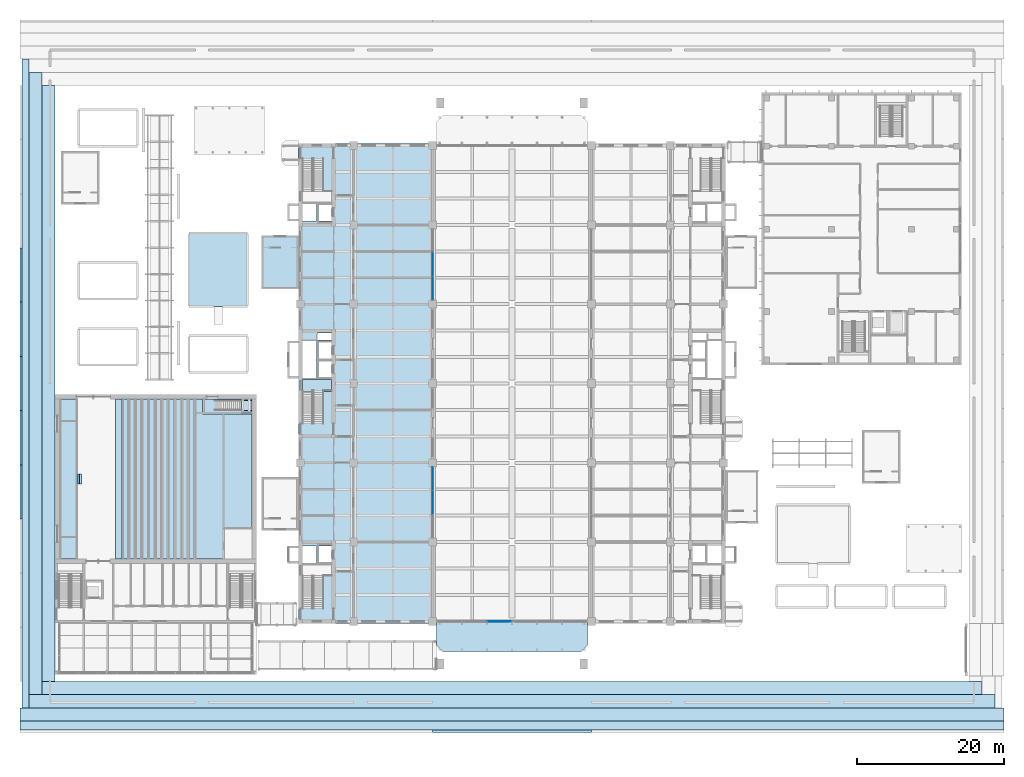
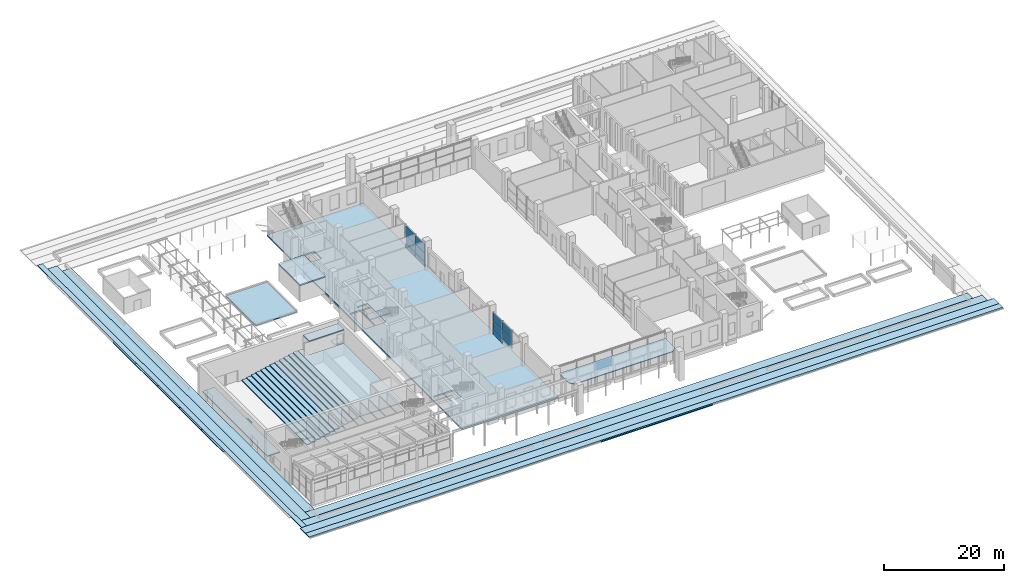
# One storey, part 42 of 71: 36 slabs, 12 plates, 5 elements without a shape of their own.
"""IFC4 building model written with IfcOpenShell, lengths in metres."""

from ifc_helpers import new_model, si_unit, direction, frame, origin, origin_2d, place, context, subcontext, project, spatial, polyline, rectangle, outline, extrude, material, layer, layer_set, type_object, element, aggregate, save


model = new_model("IFC4")

# Units and contexts
model_context = context("Model", 3, precision=1e-05, world=origin(), true_north=direction((0.0, 1.0)))
body_context = subcontext(model_context, "Body", "Model", "MODEL_VIEW")
ifc_project = project(units=[si_unit("LENGTHUNIT", "METRE"), si_unit("AREAUNIT", "SQUARE_METRE"), si_unit("VOLUMEUNIT", "CUBIC_METRE"), si_unit("PLANEANGLEUNIT", "RADIAN"), si_unit("MASSUNIT", "GRAM", prefix="KILO")], contexts=[model_context])

# Site, building, storey
site_placement = place(None, origin())
site = spatial("IfcSite", under=ifc_project, at=site_placement, CompositionType="ELEMENT")
building_placement = place(site_placement, origin())
building = spatial("IfcBuilding", under=site, at=building_placement, Name="Basin Gate Institute", CompositionType="ELEMENT")
storey_placement = place(building_placement, origin())
storey = spatial("IfcBuildingStorey", under=building, at=storey_placement, Name="L00", CompositionType="ELEMENT", Elevation=0.0)

# Curtain wall, plate
ifc_material_1 = material(Name="Aluminium and glass curtain wall", Category="aluminium")
ifc_layer_1 = layer(ifc_material_1, 0.14990234375)
ifc_layer_set_1 = layer_set([ifc_layer_1], Name="Atrium curtain wall CW81")
curtain_wall_type_1 = type_object("IfcCurtainWallType", Name="Atrium curtain wall CW81", PredefinedType="NOTDEFINED", material=ifc_layer_set_1)
curtain_wall_1_placement = place(storey_placement, origin())
curtain_wall_1 = element("IfcCurtainWall", 1, at=curtain_wall_1_placement, inside=storey, type_object=curtain_wall_type_1, material=ifc_layer_set_1, Name="Atrium end screen S L00", PredefinedType="NOTDEFINED")
ifc_material_2 = material(Name="Toughened glass", Category="glass")
ifc_layer_2 = layer(ifc_material_2, 0.028076171875)
ifc_layer_set_2 = layer_set([ifc_layer_2], Name="Atrium glass panel PN81")
plate_type_1 = type_object("IfcPlateType", Name="Atrium glass panel PN81", PredefinedType="CURTAIN_PANEL", material=ifc_layer_set_2)
plate_1_placement = place(storey_placement, frame((88.291748046875, 35.10009765625, 2.659912109375), z_axis=(0.0, 0.0, 1.0), x_axis=(1.0, 0.0, 0.0)))
plate_1 = element("IfcPlate", 2, at=plate_1_placement, type_object=plate_type_1, material=ifc_layer_set_2, Name="CW81 panel 3.1", PredefinedType="CURTAIN_PANEL", context=body_context, shape_type="SweptSolid", body=[
    extrude(rectangle(XDim=3.356689453125, YDim=0.028076171875, at=origin_2d()), origin(), (0.0, 0.0, 1.0), 1.7099609375),
])
aggregate(curtain_wall_1, [plate_1])

# Stair, slab
ifc_material_3 = material(Name="Concrete 40 MPa", Category="concrete")
stair_type_1 = type_object("IfcStairType", Name="Block stair straight ST", PredefinedType="STRAIGHT_RUN_STAIR", material=ifc_material_3)
stair_1_placement = place(storey_placement, origin())
stair_1 = element("IfcStair", 3, at=stair_1_placement, inside=storey, type_object=stair_type_1, material=ifc_material_3, Name="Theatre rear stair ST-T7 L00", PredefinedType="STRAIGHT_RUN_STAIR")
ifc_material_4 = material(Name="Concrete 40 MPa", Category="concrete")
ifc_layer_3 = layer(ifc_material_4, 0.199951171875)
ifc_layer_set_3 = layer_set([ifc_layer_3], Name="Concrete 40 MPa")
slab_type_1 = type_object("IfcSlabType", Name="Block stair landing", PredefinedType="LANDING", material=ifc_layer_set_3)
slab_1_placement = place(storey_placement, frame((0.0, 0.0, 2.199951171875)))
slab_1 = element("IfcSlab", 4, at=slab_1_placement, type_object=slab_type_1, material=ifc_layer_set_3, Name="ST-T7 landing 1", PredefinedType="LANDING", context=body_context, shape_type="SweptSolid", body=[
    extrude(outline(polyline([(53.080078125, 63.8125), (54.60009765625, 63.8125), (54.60009765625, 65.21240234375), (53.080078125, 65.21240234375), (53.080078125, 63.8125)])), origin(), (0.0, 0.0, 1.0), 0.199951171875),
])
aggregate(stair_1, [slab_1])

# Slabs
ifc_material_5 = material(Name="Granite kerb 300 x 200", Category="masonry")
ifc_layer_4 = layer(ifc_material_5, 0.199951171875)
ifc_layer_set_4 = layer_set([ifc_layer_4], Name="Granite kerb strip KB1")
slab_type_2 = type_object("IfcSlabType", Name="Granite kerb strip KB1", PredefinedType="FLOOR", material=ifc_layer_set_4)
slab_2_placement = place(storey_placement, frame((0.0, 0.0, -0.199951171875)))
element("IfcSlab", 5, at=slab_2_placement, inside=storey, type_object=slab_type_2, material=ifc_layer_set_4, Name="Granite kerb strip W10", PredefinedType="FLOOR", context=body_context, shape_type="SweptSolid", body=[
    extrude(outline(polyline([(23.0, 49.04541015625), (23.0, 56.42724609375), (23.300048828125, 56.42724609375), (23.300048828125, 49.04541015625), (23.0, 49.04541015625)])), origin(), (0.0, 0.0, 1.0), 0.199951171875),
])
slab_3_placement = place(storey_placement, frame((0.0, 0.0, -0.199951171875)))
element("IfcSlab", 6, at=slab_3_placement, inside=storey, type_object=slab_type_2, material=ifc_layer_set_4, Name="Granite kerb strip W11", PredefinedType="FLOOR", context=body_context, shape_type="SweptSolid", body=[
    extrude(outline(polyline([(23.0, 56.42724609375), (23.0, 63.80908203125), (23.300048828125, 63.80908203125), (23.300048828125, 56.42724609375), (23.0, 56.42724609375)])), origin(), (0.0, 0.0, 1.0), 0.199951171875),
])
slab_4_placement = place(storey_placement, frame((0.0, 0.0, -0.199951171875)))
element("IfcSlab", 7, at=slab_4_placement, inside=storey, type_object=slab_type_2, material=ifc_layer_set_4, Name="Granite kerb strip W12", PredefinedType="FLOOR", context=body_context, shape_type="SweptSolid", body=[
    extrude(outline(polyline([(23.0, 63.80908203125), (23.0, 71.19091796875), (23.300048828125, 71.19091796875), (23.300048828125, 63.80908203125), (23.0, 63.80908203125)])), origin(), (0.0, 0.0, 1.0), 0.199951171875),
])
slab_5_placement = place(storey_placement, frame((0.0, 0.0, -0.199951171875)))
element("IfcSlab", 8, at=slab_5_placement, inside=storey, type_object=slab_type_2, material=ifc_layer_set_4, Name="Granite kerb strip W13", PredefinedType="FLOOR", context=body_context, shape_type="SweptSolid", body=[
    extrude(outline(polyline([(23.0, 71.19091796875), (23.0, 78.57275390625), (23.300048828125, 78.57275390625), (23.300048828125, 71.19091796875), (23.0, 71.19091796875)])), origin(), (0.0, 0.0, 1.0), 0.199951171875),
])
slab_6_placement = place(storey_placement, frame((0.0, 0.0, -0.199951171875)))
element("IfcSlab", 9, at=slab_6_placement, inside=storey, type_object=slab_type_2, material=ifc_layer_set_4, Name="Granite kerb strip W14", PredefinedType="FLOOR", context=body_context, shape_type="SweptSolid", body=[
    extrude(outline(polyline([(23.0, 78.57275390625), (23.0, 85.95458984375), (23.300048828125, 85.95458984375), (23.300048828125, 78.57275390625), (23.0, 78.57275390625)])), origin(), (0.0, 0.0, 1.0), 0.199951171875),
])
ifc_material_6 = material(Name="Aluminium canopy roof panel", Category="aluminium")
ifc_layer_5 = layer(ifc_material_6, 0.14990234375)
ifc_layer_set_5 = layer_set([ifc_layer_5], Name="Main entrance canopy CN2")
slab_type_3 = type_object("IfcSlabType", Name="Main entrance canopy CN2", PredefinedType="ROOF", material=ifc_layer_set_5)
slab_7_placement = place(storey_placement, frame((0.0, 0.0, 4.5)))
element("IfcSlab", 10, at=slab_7_placement, inside=storey, type_object=slab_type_3, material=ifc_layer_set_5, Name="Main entrance canopy south", PredefinedType="ROOF", context=body_context, shape_type="SweptSolid", body=[
    extrude(outline(polyline([(79.75, 31.800048828125), (80.550048828125, 31.0), (99.449951171875, 31.0), (100.25, 31.800048828125), (100.25, 35.0), (79.75, 35.0), (79.75, 31.800048828125)])), origin(), (0.0, 0.0, 1.0), 0.14990234375),
])
ifc_material_7 = material(Name="Concrete 35 MPa", Category="concrete")
ifc_layer_6 = layer(ifc_material_7, 0.14990234375)
ifc_layer_set_6 = layer_set([ifc_layer_6], Name="Concrete 35 MPa")
slab_type_4 = type_object("IfcSlabType", Name="Rain garden basin slab SL64", PredefinedType="FLOOR", material=ifc_layer_set_6)
slab_8_placement = place(storey_placement, origin())
element("IfcSlab", 11, at=slab_8_placement, inside=storey, type_object=slab_type_4, material=ifc_layer_set_6, Name="Laboratory Garden rain garden 1 basin slab", PredefinedType="FLOOR", context=body_context, shape_type="SweptSolid", body=[
    extrude(outline(polyline([(46.0, 78.0), (54.0, 78.0), (54.0, 88.0), (46.0, 88.0), (46.0, 78.0)])), origin(), (0.0, 0.0, 1.0), 0.14990234375),
])
ifc_material_8 = material(Name="Concrete 35 MPa", Category="concrete")
ifc_layer_7 = layer(ifc_material_8, 0.199951171875)
ifc_layer_set_7 = layer_set([ifc_layer_7], Name="Concrete 35 MPa")
slab_type_5 = type_object("IfcSlabType", Name="Site paving slab SL62", PredefinedType="FLOOR", material=ifc_layer_set_7)
slab_9_placement = place(storey_placement, frame((0.0, 0.0, -0.199951171875)))
element("IfcSlab", 12, at=slab_9_placement, inside=storey, type_object=slab_type_5, material=ifc_layer_set_7, Name="Site paving slab 1S1", PredefinedType="FLOOR", context=body_context, shape_type="SweptSolid", body=[
    extrude(outline(polyline([(26.02001953125, 25.1201171875), (26.02001953125, 26.89990234375), (153.97998046875, 26.89990234375), (153.97998046875, 25.1201171875), (26.02001953125, 25.1201171875)])), origin(), (0.0, 0.0, 1.0), 0.199951171875),
])
slab_10_placement = place(storey_placement, frame((0.0, 0.0, -0.199951171875)))
element("IfcSlab", 13, at=slab_10_placement, inside=storey, type_object=slab_type_5, material=ifc_layer_set_7, Name="Site paving slab 1W1", PredefinedType="FLOOR", context=body_context, shape_type="SweptSolid", body=[
    extrude(outline(polyline([(27.800048828125, 26.89990234375), (26.02001953125, 26.89990234375), (26.02001953125, 108.10009765625), (27.800048828125, 108.10009765625), (27.800048828125, 66.0), (27.800048828125, 65.493896484375), (27.800048828125, 65.39990234375), (27.800048828125, 63.89404296875), (27.800048828125, 63.860107421875), (27.800048828125, 62.1708984375), (27.800048828125, 62.135009765625), (27.800048828125, 60.346923828125), (27.800048828125, 60.31005859375), (27.800048828125, 58.447998046875), (27.800048828125, 58.408935546875), (27.800048828125, 56.4970703125), (27.800048828125, 56.45703125), (27.800048828125, 54.52001953125), (27.800048828125, 54.47998046875), (27.800048828125, 52.54296875), (27.800048828125, 52.5029296875), (27.800048828125, 50.591064453125), (27.800048828125, 50.552001953125), (27.800048828125, 48.68994140625), (27.800048828125, 48.653076171875), (27.800048828125, 46.864990234375), (27.800048828125, 46.8291015625), (27.800048828125, 45.139892578125), (27.800048828125, 45.10595703125), (27.800048828125, 43.60009765625), (27.800048828125, 43.60009765625), (27.800048828125, 43.506103515625), (27.800048828125, 43.0), (27.800048828125, 42.945068359375), (27.800048828125, 41.77001953125), (27.800048828125, 41.28759765625), (27.800048828125, 34.949951171875), (27.800048828125, 28.39990234375), (27.800048828125, 27.89990234375), (27.800048828125, 27.800048828125), (27.800048828125, 26.89990234375)])), origin(), (0.0, 0.0, 1.0), 0.199951171875),
])
slab_11_placement = place(storey_placement, frame((0.0, 0.0, -0.199951171875)))
element("IfcSlab", 14, at=slab_11_placement, inside=storey, type_object=slab_type_5, material=ifc_layer_set_7, Name="Site paving slab 2S1", PredefinedType="FLOOR", context=body_context, shape_type="SweptSolid", body=[
    extrude(outline(polyline([(24.239990234375, 23.340087890625), (24.239990234375, 25.1201171875), (155.760009765625, 25.1201171875), (155.760009765625, 23.340087890625), (24.239990234375, 23.340087890625)])), origin(), (0.0, 0.0, 1.0), 0.199951171875),
])
slab_12_placement = place(storey_placement, frame((0.0, 0.0, -0.199951171875)))
element("IfcSlab", 15, at=slab_12_placement, inside=storey, type_object=slab_type_5, material=ifc_layer_set_7, Name="Site paving slab 2W1", PredefinedType="FLOOR", context=body_context, shape_type="SweptSolid", body=[
    extrude(outline(polyline([(24.239990234375, 25.1201171875), (24.239990234375, 109.8798828125), (26.02001953125, 109.8798828125), (26.02001953125, 25.1201171875), (24.239990234375, 25.1201171875)])), origin(), (0.0, 0.0, 1.0), 0.199951171875),
])
slab_13_placement = place(storey_placement, frame((0.0, 0.0, -0.199951171875)))
element("IfcSlab", 16, at=slab_13_placement, inside=storey, type_object=slab_type_5, material=ifc_layer_set_7, Name="Site paving slab 3S1", PredefinedType="FLOOR", context=body_context, shape_type="SweptSolid", body=[
    extrude(outline(polyline([(23.0, 21.56005859375), (23.0, 23.340087890625), (157.0, 23.340087890625), (157.0, 21.56005859375), (23.0, 21.56005859375)])), origin(), (0.0, 0.0, 1.0), 0.199951171875),
])
slab_14_placement = place(storey_placement, frame((0.0, 0.0, -0.199951171875)))
element("IfcSlab", 17, at=slab_14_placement, inside=storey, type_object=slab_type_5, material=ifc_layer_set_7, Name="Site paving slab 3W1", PredefinedType="FLOOR", context=body_context, shape_type="SweptSolid", body=[
    extrude(outline(polyline([(23.300048828125, 23.340087890625), (23.300048828125, 111.659912109375), (24.239990234375, 111.659912109375), (24.239990234375, 23.340087890625), (23.300048828125, 23.340087890625)])), origin(), (0.0, 0.0, 1.0), 0.199951171875),
])
slab_15_placement = place(storey_placement, frame((0.0, 0.0, -0.199951171875)))
element("IfcSlab", 18, at=slab_15_placement, inside=storey, type_object=slab_type_5, material=ifc_layer_set_7, Name="Site paving slab 4S1", PredefinedType="FLOOR", context=body_context, shape_type="SweptSolid", body=[
    extrude(outline(polyline([(23.0, 20.300048828125), (23.0, 21.56005859375), (157.0, 21.56005859375), (157.0, 20.300048828125), (23.0, 20.300048828125)])), origin(), (0.0, 0.0, 1.0), 0.199951171875),
])
ifc_material_9 = material(Name="Concrete 40 MPa", Category="concrete")
ifc_layer_8 = layer(ifc_material_9, 0.300048828125)
ifc_layer_set_8 = layer_set([ifc_layer_8], Name="Concrete 40 MPa")
slab_type_6 = type_object("IfcSlabType", Name="Slab SL3 R180", PredefinedType="FLOOR", material=ifc_layer_set_8)
slab_16_placement = place(storey_placement, frame((0.0, 0.0, -0.300048828125)))
element("IfcSlab", 19, at=slab_16_placement, inside=storey, type_object=slab_type_6, material=ifc_layer_set_8, Name="SLAB/L00/W", PredefinedType="FLOOR", context=body_context, shape_type="SweptSolid", body=[
    extrude(outline(polyline([(60.949951171875, 34.85009765625), (79.60009765625, 34.85009765625), (79.60009765625, 100.14990234375), (60.949951171875, 100.14990234375), (60.949951171875, 34.85009765625)]), holes=[polyline([(61.449951171875, 43.0), (63.39990234375, 43.0), (63.39990234375, 45.39990234375), (61.449951171875, 45.39990234375), (61.449951171875, 43.0)]), polyline([(61.449951171875, 68.199951171875), (63.39990234375, 68.199951171875), (63.39990234375, 73.300048828125), (61.449951171875, 73.300048828125), (61.449951171875, 68.199951171875)]), polyline([(63.5, 73.39990234375), (65.449951171875, 73.39990234375), (65.449951171875, 74.39990234375), (63.5, 74.39990234375), (63.5, 73.39990234375)]), polyline([(61.449951171875, 89.60009765625), (63.39990234375, 89.60009765625), (63.39990234375, 92.0), (61.449951171875, 92.0), (61.449951171875, 89.60009765625)]), polyline([(63.5, 43.0), (65.449951171875, 43.0), (65.449951171875, 45.39990234375), (63.5, 45.39990234375), (63.5, 43.0)]), polyline([(65.449951171875, 68.199951171875), (63.5, 68.199951171875), (63.5, 73.300048828125), (65.449951171875, 73.300048828125), (65.449951171875, 68.199951171875)]), polyline([(63.5, 89.60009765625), (65.449951171875, 89.60009765625), (65.449951171875, 92.0), (63.5, 92.0), (63.5, 89.60009765625)])]), origin(), (0.0, 0.0, 1.0), 0.300048828125),
])
ifc_material_10 = material(Name="Concrete 40 MPa", Category="concrete")
ifc_layer_9 = layer(ifc_material_10, 0.199951171875)
ifc_layer_set_9 = layer_set([ifc_layer_9], Name="Concrete 40 MPa")
slab_type_7 = type_object("IfcSlabType", Name="Slab SL75 R180", PredefinedType="FLOOR", material=ifc_layer_set_9)
slab_17_placement = place(storey_placement, origin())
element("IfcSlab", 20, at=slab_17_placement, inside=storey, type_object=slab_type_7, material=ifc_layer_set_9, Name="Raked floor stall 1", PredefinedType="FLOOR", context=body_context, shape_type="SweptSolid", body=[
    extrude(outline(polyline([(36.0, 43.60009765625), (36.89990234375, 43.60009765625), (36.89990234375, 65.39990234375), (36.0, 65.39990234375), (36.0, 43.60009765625)])), origin(), (0.0, 0.0, 1.0), 0.199951171875),
])
slab_18_placement = place(storey_placement, frame((0.0, 0.0, 0.199951171875)))
element("IfcSlab", 21, at=slab_18_placement, inside=storey, type_object=slab_type_7, material=ifc_layer_set_9, Name="Raked floor stall 2", PredefinedType="FLOOR", context=body_context, shape_type="SweptSolid", body=[
    extrude(outline(polyline([(36.89990234375, 43.60009765625), (37.800048828125, 43.60009765625), (37.800048828125, 65.39990234375), (36.89990234375, 65.39990234375), (36.89990234375, 43.60009765625)])), origin(), (0.0, 0.0, 1.0), 0.199951171875),
])
slab_19_placement = place(storey_placement, frame((0.0, 0.0, 0.39990234375)))
element("IfcSlab", 22, at=slab_19_placement, inside=storey, type_object=slab_type_7, material=ifc_layer_set_9, Name="Raked floor stall 3", PredefinedType="FLOOR", context=body_context, shape_type="SweptSolid", body=[
    extrude(outline(polyline([(37.800048828125, 43.60009765625), (38.699951171875, 43.60009765625), (38.699951171875, 65.39990234375), (37.800048828125, 65.39990234375), (37.800048828125, 43.60009765625)])), origin(), (0.0, 0.0, 1.0), 0.2001953125),
])
slab_20_placement = place(storey_placement, frame((0.0, 0.0, 0.60009765625)))
element("IfcSlab", 23, at=slab_20_placement, inside=storey, type_object=slab_type_7, material=ifc_layer_set_9, Name="Raked floor stall 4", PredefinedType="FLOOR", context=body_context, shape_type="SweptSolid", body=[
    extrude(outline(polyline([(38.699951171875, 43.60009765625), (39.60009765625, 43.60009765625), (39.60009765625, 65.39990234375), (38.699951171875, 65.39990234375), (38.699951171875, 43.60009765625)])), origin(), (0.0, 0.0, 1.0), 0.199951171875),
])
slab_21_placement = place(storey_placement, frame((0.0, 0.0, 0.800048828125)))
element("IfcSlab", 24, at=slab_21_placement, inside=storey, type_object=slab_type_7, material=ifc_layer_set_9, Name="Raked floor stall 5", PredefinedType="FLOOR", context=body_context, shape_type="SweptSolid", body=[
    extrude(outline(polyline([(39.60009765625, 43.60009765625), (40.5, 43.60009765625), (40.5, 65.39990234375), (39.60009765625, 65.39990234375), (39.60009765625, 43.60009765625)])), origin(), (0.0, 0.0, 1.0), 0.199951171875),
])
slab_22_placement = place(storey_placement, frame((0.0, 0.0, 1.0)))
element("IfcSlab", 25, at=slab_22_placement, inside=storey, type_object=slab_type_7, material=ifc_layer_set_9, Name="Raked floor stall 6", PredefinedType="FLOOR", context=body_context, shape_type="SweptSolid", body=[
    extrude(outline(polyline([(40.5, 43.60009765625), (41.39990234375, 43.60009765625), (41.39990234375, 65.39990234375), (40.5, 65.39990234375), (40.5, 43.60009765625)])), origin(), (0.0, 0.0, 1.0), 0.199951171875),
])
slab_23_placement = place(storey_placement, frame((0.0, 0.0, 1.199951171875)))
element("IfcSlab", 26, at=slab_23_placement, inside=storey, type_object=slab_type_7, material=ifc_layer_set_9, Name="Raked floor stall 7", PredefinedType="FLOOR", context=body_context, shape_type="SweptSolid", body=[
    extrude(outline(polyline([(41.39990234375, 43.60009765625), (42.300048828125, 43.60009765625), (42.300048828125, 65.39990234375), (41.39990234375, 65.39990234375), (41.39990234375, 43.60009765625)])), origin(), (0.0, 0.0, 1.0), 0.199951171875),
])
slab_24_placement = place(storey_placement, frame((0.0, 0.0, 1.39990234375)))
element("IfcSlab", 27, at=slab_24_placement, inside=storey, type_object=slab_type_7, material=ifc_layer_set_9, Name="Raked floor stall 8", PredefinedType="FLOOR", context=body_context, shape_type="SweptSolid", body=[
    extrude(outline(polyline([(42.300048828125, 43.60009765625), (43.199951171875, 43.60009765625), (43.199951171875, 65.39990234375), (42.300048828125, 65.39990234375), (42.300048828125, 43.60009765625)])), origin(), (0.0, 0.0, 1.0), 0.2001953125),
])
slab_25_placement = place(storey_placement, frame((0.0, 0.0, 1.60009765625)))
element("IfcSlab", 28, at=slab_25_placement, inside=storey, type_object=slab_type_7, material=ifc_layer_set_9, Name="Raked floor stall 9", PredefinedType="FLOOR", context=body_context, shape_type="SweptSolid", body=[
    extrude(outline(polyline([(43.199951171875, 43.60009765625), (44.10009765625, 43.60009765625), (44.10009765625, 65.39990234375), (43.199951171875, 65.39990234375), (43.199951171875, 43.60009765625)])), origin(), (0.0, 0.0, 1.0), 0.199951171875),
])
slab_26_placement = place(storey_placement, frame((0.0, 0.0, 1.800048828125)))
element("IfcSlab", 29, at=slab_26_placement, inside=storey, type_object=slab_type_7, material=ifc_layer_set_9, Name="Raked floor stall 10", PredefinedType="FLOOR", context=body_context, shape_type="SweptSolid", body=[
    extrude(outline(polyline([(44.10009765625, 43.60009765625), (45.0, 43.60009765625), (45.0, 65.39990234375), (44.10009765625, 65.39990234375), (44.10009765625, 43.60009765625)])), origin(), (0.0, 0.0, 1.0), 0.199951171875),
])
slab_27_placement = place(storey_placement, frame((0.0, 0.0, 2.0)))
element("IfcSlab", 30, at=slab_27_placement, inside=storey, type_object=slab_type_7, material=ifc_layer_set_9, Name="Raked floor stall 11", PredefinedType="FLOOR", context=body_context, shape_type="SweptSolid", body=[
    extrude(outline(polyline([(45.0, 43.60009765625), (45.89990234375, 43.60009765625), (45.89990234375, 65.39990234375), (45.0, 65.39990234375), (45.0, 43.60009765625)])), origin(), (0.0, 0.0, 1.0), 0.199951171875),
])
slab_28_placement = place(storey_placement, frame((0.0, 0.0, 2.199951171875)))
element("IfcSlab", 31, at=slab_28_placement, inside=storey, type_object=slab_type_7, material=ifc_layer_set_9, Name="Raked floor stall 12", PredefinedType="FLOOR", context=body_context, shape_type="SweptSolid", body=[
    extrude(outline(polyline([(45.89990234375, 43.60009765625), (46.800048828125, 43.60009765625), (46.800048828125, 65.39990234375), (45.89990234375, 65.39990234375), (45.89990234375, 43.60009765625)])), origin(), (0.0, 0.0, 1.0), 0.199951171875),
])
slab_29_placement = place(storey_placement, frame((0.0, 0.0, 2.199951171875)))
element("IfcSlab", 32, at=slab_29_placement, inside=storey, type_object=slab_type_7, material=ifc_layer_set_9, Name="Raked floor stall 13", PredefinedType="FLOOR", context=body_context, shape_type="SweptSolid", body=[
    extrude(outline(polyline([(46.800048828125, 43.60009765625), (54.60009765625, 43.60009765625), (54.60009765625, 63.375), (47.875, 63.375), (47.875, 65.39990234375), (46.800048828125, 65.39990234375), (46.800048828125, 43.60009765625)])), origin(), (0.0, 0.0, 1.0), 0.199951171875),
])
slab_30_placement = place(storey_placement, frame((0.0, 0.0, 0.340087890625)))
element("IfcSlab", 33, at=slab_30_placement, inside=storey, type_object=slab_type_7, material=ifc_layer_set_9, Name="Stage floor", PredefinedType="FLOOR", context=body_context, shape_type="SweptSolid", body=[
    extrude(outline(polyline([(28.39990234375, 43.60009765625), (30.800048828125, 43.60009765625), (30.800048828125, 65.39990234375), (28.39990234375, 65.39990234375), (28.39990234375, 43.60009765625)])), origin(), (0.0, 0.0, 1.0), 0.199951171875),
])
ifc_material_11 = material(Name="Concrete 40 MPa", Category="concrete")
ifc_layer_10 = layer(ifc_material_11, 0.199951171875)
ifc_layer_set_10 = layer_set([ifc_layer_10], Name="Concrete 40 MPa")
slab_type_8 = type_object("IfcSlabType", Name="Slab SL76 R180", PredefinedType="ROOF", material=ifc_layer_set_10)
slab_31_placement = place(storey_placement, frame((0.0, 0.0, 5.0)))
element("IfcSlab", 34, at=slab_31_placement, inside=storey, type_object=slab_type_8, material=ifc_layer_set_10, Name="Stair ST-T7 roof slab", PredefinedType="ROOF", context=body_context, shape_type="SweptSolid", body=[
    extrude(outline(polyline([(47.875, 63.375), (54.60009765625, 63.375), (54.60009765625, 65.39990234375), (47.875, 65.39990234375), (47.875, 63.375)])), origin(), (0.0, 0.0, 1.0), 0.199951171875),
])
ifc_material_12 = material(Name="Concrete 40 MPa", Category="concrete")
ifc_layer_11 = layer(ifc_material_12, 0.179931640625)
ifc_layer_set_11 = layer_set([ifc_layer_11], Name="Concrete 40 MPa")
slab_type_9 = type_object("IfcSlabType", Name="Slab SL78 R180", PredefinedType="FLOOR", material=ifc_layer_set_11)
slab_32_placement = place(storey_placement, origin())
element("IfcSlab", 35, at=slab_32_placement, inside=storey, type_object=slab_type_9, material=ifc_layer_set_11, Name="Stage step 1", PredefinedType="FLOOR", context=body_context, shape_type="SweptSolid", body=[
    extrude(outline(polyline([(31.10009765625, 53.800048828125), (31.39990234375, 53.800048828125), (31.39990234375, 55.199951171875), (31.10009765625, 55.199951171875), (31.10009765625, 53.800048828125)])), origin(), (0.0, 0.0, 1.0), 0.179931640625),
])
ifc_material_13 = material(Name="Concrete 40 MPa", Category="concrete")
ifc_layer_12 = layer(ifc_material_13, 0.360107421875)
ifc_layer_set_12 = layer_set([ifc_layer_12], Name="Concrete 40 MPa")
slab_type_10 = type_object("IfcSlabType", Name="Slab SL79 R180", PredefinedType="FLOOR", material=ifc_layer_set_12)
slab_33_placement = place(storey_placement, origin())
element("IfcSlab", 36, at=slab_33_placement, inside=storey, type_object=slab_type_10, material=ifc_layer_set_12, Name="Stage step 2", PredefinedType="FLOOR", context=body_context, shape_type="SweptSolid", body=[
    extrude(outline(polyline([(30.800048828125, 53.800048828125), (31.10009765625, 53.800048828125), (31.10009765625, 55.199951171875), (30.800048828125, 55.199951171875), (30.800048828125, 53.800048828125)])), origin(), (0.0, 0.0, 1.0), 0.360107421875),
])

# Curtain wall, plates
ifc_material_14 = material(Name="Fire-resistant glazing in steel-free frame", Category="steel")
ifc_layer_13 = layer(ifc_material_14, 0.199951171875)
ifc_layer_set_13 = layer_set([ifc_layer_13], Name="Fire-resistant glazing in steel-free frame")
curtain_wall_type_2 = type_object("IfcCurtainWallType", Name="Atrium rated curtain wall CW3", PredefinedType="NOTDEFINED", material=ifc_layer_set_13)
curtain_wall_2_placement = place(storey_placement, origin())
curtain_wall_2 = element("IfcCurtainWall", 37, at=curtain_wall_2_placement, inside=storey, type_object=curtain_wall_type_2, material=ifc_layer_set_13, Name="Atrium rated curtain wall W wing atrium bay 2 L00", PredefinedType="NOTDEFINED")
ifc_material_15 = material(Name="Fire-resisting board panel")
ifc_layer_14 = layer(ifc_material_15, 0.050048828125)
ifc_layer_set_14 = layer_set([ifc_layer_14], Name="Spandrel panel PN4")
plate_type_2 = type_object("IfcPlateType", Name="Spandrel panel PN4", PredefinedType="CURTAIN_PANEL", material=ifc_layer_set_14)
plate_2_placement = place(storey_placement, frame((79.199951171875, 51.300048828125, 2.72998046875), z_axis=(0.0, 0.0, 1.0), x_axis=(0.0, 1.0, 0.0)))
plate_2 = element("IfcPlate", 38, at=plate_2_placement, type_object=plate_type_2, material=ifc_layer_set_14, Name="CW3 spandrel panel 2.3", PredefinedType="CURTAIN_PANEL", context=body_context, shape_type="SweptSolid", body=[
    extrude(rectangle(XDim=3.17333984375, YDim=0.050048828125, at=origin_2d()), origin(), (0.0, 0.0, 1.0), 1.81005859375),
])
plate_3_placement = place(storey_placement, frame((79.199951171875, 54.518310546875, 0.06005859375), z_axis=(0.0, 0.0, 1.0), x_axis=(0.0, 1.0, 0.0)))
plate_3 = element("IfcPlate", 39, at=plate_3_placement, type_object=plate_type_2, material=ifc_layer_set_14, Name="CW3 spandrel panel 3.1", PredefinedType="CURTAIN_PANEL", context=body_context, shape_type="SweptSolid", body=[
    extrude(rectangle(XDim=3.143310546875, YDim=0.050048828125, at=origin_2d()), origin(), (0.0, 0.0, 1.0), 0.81005859375),
])
plate_4_placement = place(storey_placement, frame((79.199951171875, 54.518310546875, 2.72998046875), z_axis=(0.0, 0.0, 1.0), x_axis=(0.0, 1.0, 0.0)))
plate_4 = element("IfcPlate", 40, at=plate_4_placement, type_object=plate_type_2, material=ifc_layer_set_14, Name="CW3 spandrel panel 3.3", PredefinedType="CURTAIN_PANEL", context=body_context, shape_type="SweptSolid", body=[
    extrude(rectangle(XDim=3.143310546875, YDim=0.050048828125, at=origin_2d()), origin(), (0.0, 0.0, 1.0), 1.81005859375),
])

curtain_wall_3_placement = place(storey_placement, origin())
curtain_wall_3 = element("IfcCurtainWall", 41, at=curtain_wall_3_placement, inside=storey, type_object=curtain_wall_type_2, material=ifc_layer_set_13, Name="Atrium rated curtain wall W wing atrium bay 5 L00", PredefinedType="NOTDEFINED")
plate_5_placement = place(storey_placement, frame((79.199951171875, 80.481689453125, 0.06005859375), z_axis=(0.0, 0.0, 1.0), x_axis=(0.0, 1.0, 0.0)))
plate_5 = element("IfcPlate", 42, at=plate_5_placement, type_object=plate_type_2, material=ifc_layer_set_14, Name="CW3 spandrel panel 1.1", PredefinedType="CURTAIN_PANEL", context=body_context, shape_type="SweptSolid", body=[
    extrude(rectangle(XDim=3.143310546875, YDim=0.050048828125, at=origin_2d()), origin(), (0.0, 0.0, 1.0), 0.81005859375),
])
plate_6_placement = place(storey_placement, frame((79.199951171875, 80.481689453125, 2.72998046875), z_axis=(0.0, 0.0, 1.0), x_axis=(0.0, 1.0, 0.0)))
plate_6 = element("IfcPlate", 43, at=plate_6_placement, type_object=plate_type_2, material=ifc_layer_set_14, Name="CW3 spandrel panel 1.3", PredefinedType="CURTAIN_PANEL", context=body_context, shape_type="SweptSolid", body=[
    extrude(rectangle(XDim=3.143310546875, YDim=0.050048828125, at=origin_2d()), origin(), (0.0, 0.0, 1.0), 1.81005859375),
])
plate_7_placement = place(storey_placement, frame((79.199951171875, 83.699951171875, 0.06005859375), z_axis=(0.0, 0.0, 1.0), x_axis=(0.0, 1.0, 0.0)))
plate_7 = element("IfcPlate", 44, at=plate_7_placement, type_object=plate_type_2, material=ifc_layer_set_14, Name="CW3 spandrel panel 2.1", PredefinedType="CURTAIN_PANEL", context=body_context, shape_type="SweptSolid", body=[
    extrude(rectangle(XDim=3.17333984375, YDim=0.050048828125, at=origin_2d()), origin(), (0.0, 0.0, 1.0), 0.81005859375),
])
plate_8_placement = place(storey_placement, frame((79.199951171875, 83.699951171875, 2.72998046875), z_axis=(0.0, 0.0, 1.0), x_axis=(0.0, 1.0, 0.0)))
plate_8 = element("IfcPlate", 45, at=plate_8_placement, type_object=plate_type_2, material=ifc_layer_set_14, Name="CW3 spandrel panel 2.3", PredefinedType="CURTAIN_PANEL", context=body_context, shape_type="SweptSolid", body=[
    extrude(rectangle(XDim=3.17333984375, YDim=0.050048828125, at=origin_2d()), origin(), (0.0, 0.0, 1.0), 1.81005859375),
])

# Slab
ifc_material_16 = material(Name="Insulated roof deck")
ifc_layer_15 = layer(ifc_material_16, 0.25)
ifc_layer_set_15 = layer_set([ifc_layer_15], Name="Stair head house roof deck")
slab_type_11 = type_object("IfcSlabType", Name="Stair head house roof deck", PredefinedType="ROOF", material=ifc_layer_set_15)
slab_34_placement = place(storey_placement, frame((0.0, 0.0, 3.300048828125)))
element("IfcSlab", 46, at=slab_34_placement, inside=storey, type_object=slab_type_11, material=ifc_layer_set_15, Name="Stair head house BS2 roof", PredefinedType="ROOF", context=body_context, shape_type="SweptSolid", body=[
    extrude(outline(polyline([(55.89990234375, 80.39990234375), (60.89990234375, 80.39990234375), (60.89990234375, 87.60009765625), (55.89990234375, 87.60009765625), (55.89990234375, 80.39990234375)])), origin(), (0.0, 0.0, 1.0), 0.25),
])

# Stair, slab
ifc_material_17 = material(Name="Concrete 40 MPa", Category="concrete")
stair_type_2 = type_object("IfcStairType", Name="Stair ST", PredefinedType="HALF_TURN_STAIR", material=ifc_material_17)
stair_2_placement = place(storey_placement, origin())
stair_2 = element("IfcStair", 47, at=stair_2_placement, inside=storey, type_object=stair_type_2, material=ifc_material_17, Name="Special safe stair ST-WM L00", PredefinedType="HALF_TURN_STAIR")
ifc_material_18 = material(Name="Concrete 40 MPa", Category="concrete")
ifc_layer_16 = layer(ifc_material_18, 0.199951171875)
ifc_layer_set_16 = layer_set([ifc_layer_16], Name="Concrete 40 MPa")
slab_type_12 = type_object("IfcSlabType", Name="Stair landing LN REI 180", PredefinedType="LANDING", material=ifc_layer_set_16)
slab_35_placement = place(storey_placement, frame((0.0, 0.0, 2.800048828125)))
slab_35 = element("IfcSlab", 48, at=slab_35_placement, type_object=slab_type_12, material=ifc_layer_set_16, Name="Stair landing ST-WM-L1 L00", PredefinedType="LANDING", context=body_context, shape_type="SweptSolid", body=[
    extrude(outline(polyline([(61.449951171875, 66.409912109375), (65.449951171875, 66.409912109375), (65.449951171875, 68.050048828125), (61.449951171875, 68.050048828125), (61.449951171875, 66.409912109375)])), origin(), (0.0, 0.0, 1.0), 0.199951171875),
])
aggregate(stair_2, [slab_35])

# Slab
ifc_material_19 = material(Name="Tactile concrete paving", Category="concrete")
ifc_layer_17 = layer(ifc_material_19, 0.199951171875)
ifc_layer_set_17 = layer_set([ifc_layer_17], Name="Tactile concrete paving")
slab_type_13 = type_object("IfcSlabType", Name="Tactile paving strip TP1", PredefinedType="FLOOR", material=ifc_layer_set_17)
slab_36_placement = place(storey_placement, frame((0.0, 0.0, -0.199951171875)))
element("IfcSlab", 49, at=slab_36_placement, inside=storey, type_object=slab_type_13, material=ifc_layer_set_17, Name="Tactile paving strip S3", PredefinedType="FLOOR", context=body_context, shape_type="SweptSolid", body=[
    extrude(outline(polyline([(79.199951171875, 20.0), (79.199951171875, 20.300048828125), (100.800048828125, 20.300048828125), (100.800048828125, 20.0), (79.199951171875, 20.0)])), origin(), (0.0, 0.0, 1.0), 0.199951171875),
])

# Plate
ifc_material_20 = material(Name="Fire-resistant glazing", Category="glass")
ifc_layer_18 = layer(ifc_material_20, 0.0400390625)
ifc_layer_set_18 = layer_set([ifc_layer_18], Name="Vision panel PN3")
plate_type_3 = type_object("IfcPlateType", Name="Vision panel PN3", PredefinedType="CURTAIN_PANEL", material=ifc_layer_set_18)
plate_9_placement = place(storey_placement, frame((79.199951171875, 51.300048828125, 0.93017578125), z_axis=(0.0, 0.0, 1.0), x_axis=(0.0, 1.0, 0.0)))
plate_9 = element("IfcPlate", 50, at=plate_9_placement, type_object=plate_type_3, material=ifc_layer_set_18, Name="CW3 vision panel 2.2", PredefinedType="CURTAIN_PANEL", context=body_context, shape_type="SweptSolid", body=[
    extrude(rectangle(XDim=3.17333984375, YDim=0.0400390625, at=origin_2d()), origin(), (0.0, 0.0, 1.0), 1.739990234375),
])

plate_10_placement = place(storey_placement, frame((79.199951171875, 54.518310546875, 0.93017578125), z_axis=(0.0, 0.0, 1.0), x_axis=(0.0, 1.0, 0.0)))
plate_10 = element("IfcPlate", 51, at=plate_10_placement, type_object=plate_type_3, material=ifc_layer_set_18, Name="CW3 vision panel 3.2", PredefinedType="CURTAIN_PANEL", context=body_context, shape_type="SweptSolid", body=[
    extrude(rectangle(XDim=3.143310546875, YDim=0.0400390625, at=origin_2d()), origin(), (0.0, 0.0, 1.0), 1.739990234375),
])

aggregate(curtain_wall_2, [plate_9, plate_2, plate_3, plate_10, plate_4])

plate_11_placement = place(storey_placement, frame((79.199951171875, 80.481689453125, 0.93017578125), z_axis=(0.0, 0.0, 1.0), x_axis=(0.0, 1.0, 0.0)))
plate_11 = element("IfcPlate", 52, at=plate_11_placement, type_object=plate_type_3, material=ifc_layer_set_18, Name="CW3 vision panel 1.2", PredefinedType="CURTAIN_PANEL", context=body_context, shape_type="SweptSolid", body=[
    extrude(rectangle(XDim=3.143310546875, YDim=0.0400390625, at=origin_2d()), origin(), (0.0, 0.0, 1.0), 1.739990234375),
])

plate_12_placement = place(storey_placement, frame((79.199951171875, 83.699951171875, 0.93017578125), z_axis=(0.0, 0.0, 1.0), x_axis=(0.0, 1.0, 0.0)))
plate_12 = element("IfcPlate", 53, at=plate_12_placement, type_object=plate_type_3, material=ifc_layer_set_18, Name="CW3 vision panel 2.2", PredefinedType="CURTAIN_PANEL", context=body_context, shape_type="SweptSolid", body=[
    extrude(rectangle(XDim=3.17333984375, YDim=0.0400390625, at=origin_2d()), origin(), (0.0, 0.0, 1.0), 1.739990234375),
])

aggregate(curtain_wall_3, [plate_5, plate_11, plate_6, plate_7, plate_12, plate_8])

save(model, "model.ifc")
